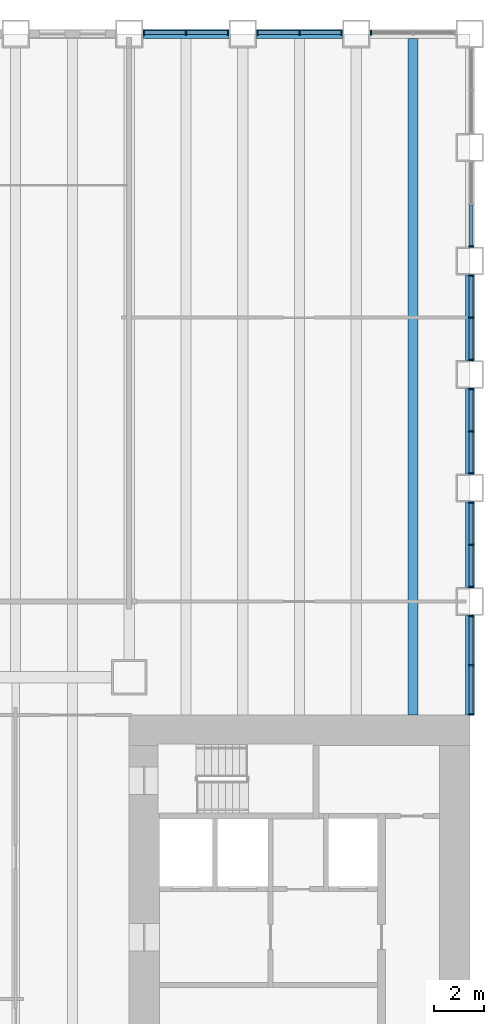
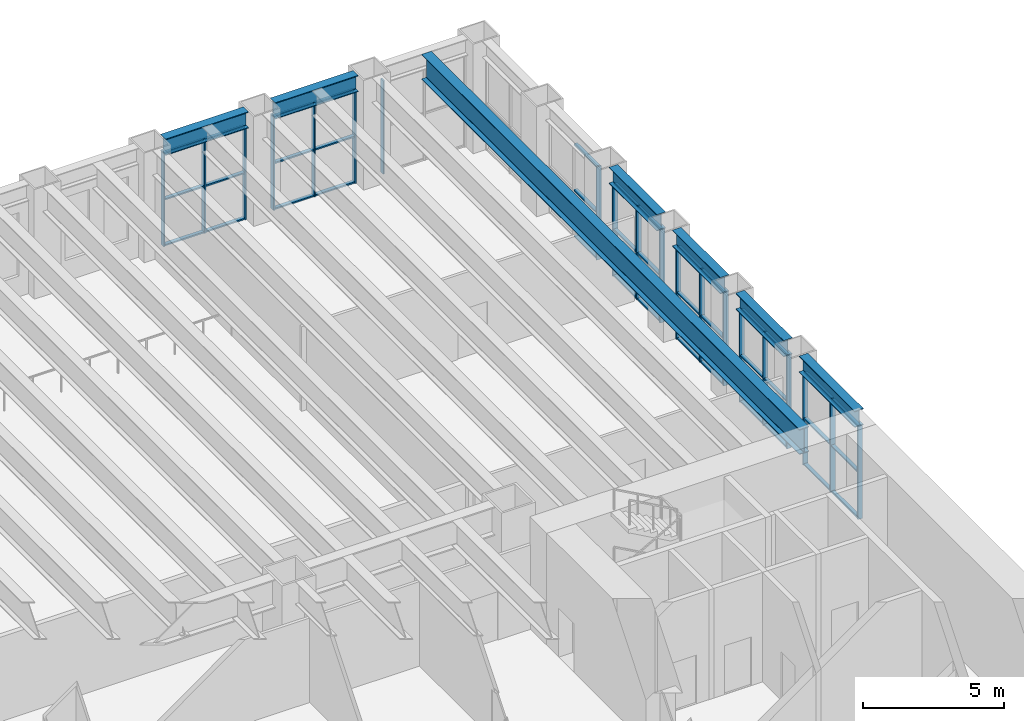
# One storey, part 4 of 19: 59 members, 7 beams, 8 elements without a shape of their own.
"""IFC4 building model written with IfcOpenShell, lengths in metres."""

from ifc_helpers import new_model, si_unit, direction, frame, origin, origin_2d, place, context, subcontext, project, spatial, rectangle, i_section, extrude, material, material_profile, profile_set, type_object, element, aggregate, save


model = new_model("IFC4")

# Units and contexts
model_context = context("Model", 3, precision=1e-05, world=origin(), true_north=direction((0.0, 1.0)))
body_context = subcontext(model_context, "Body", "Model", "MODEL_VIEW")
ifc_project = project(units=[si_unit("LENGTHUNIT", "METRE"), si_unit("AREAUNIT", "SQUARE_METRE"), si_unit("VOLUMEUNIT", "CUBIC_METRE"), si_unit("PLANEANGLEUNIT", "RADIAN"), si_unit("MASSUNIT", "GRAM", prefix="KILO")], contexts=[model_context])

# Site, building, storey
site_placement = place(None, origin())
site = spatial("IfcSite", under=ifc_project, at=site_placement, CompositionType="ELEMENT")
building_placement = place(site_placement, origin())
building = spatial("IfcBuilding", under=site, at=building_placement, Name="Sennacour Bend Tower", CompositionType="ELEMENT")
storey_placement = place(building_placement, frame((0.0, 0.0, 14.0)))
storey = spatial("IfcBuildingStorey", under=building, at=storey_placement, Name="L02", CompositionType="ELEMENT", Elevation=14.0)

# Curtain wall, members
ifc_material_1 = material(Name="Bronze anodised aluminium curtain wall with clear glass", Category="aluminium")
curtain_wall_type = type_object("IfcCurtainWallType", Name="CURTAIN WALL NOTCH", PredefinedType="NOTDEFINED", material=ifc_material_1)
curtain_wall_1_placement = place(storey_placement, origin())
curtain_wall_1 = element("IfcCurtainWall", 1, at=curtain_wall_1_placement, inside=storey, type_object=curtain_wall_type, Name="Podium glass wall L02", PredefinedType="NOTDEFINED")
ifc_material_2 = material(Name="Aluminium 6063-T6", Category="aluminium")
ifc_material_profile_1 = material_profile(ifc_material_2, rectangle(XDim=0.199951171875, YDim=0.06005859375, at=origin_2d()), Name="Aluminium 6063-T6", Category="aluminium")
ifc_profile_set_1 = profile_set([ifc_material_profile_1], Name="Aluminium 6063-T6")
member_type_1 = type_object("IfcMemberType", Name="CW-MULLION-200X60", PredefinedType="MULLION", material=ifc_profile_set_1)
member_1_placement = place(storey_placement, frame((67.550048828125, 22.531005859375, 0.0), z_axis=(0.0, 0.0, 1.0), x_axis=(-1.0, 0.0, 0.0)))
member_1 = element("IfcMember", 2, at=member_1_placement, type_object=member_type_1, Name="GW2 curtain wall mullion 1", PredefinedType="MULLION", context=body_context, shape_type="SweptSolid", body=[
    extrude(rectangle(XDim=0.199951171875, YDim=0.06005859375, at=origin_2d()), origin(), (0.0, 0.0, 1.0), 4.035888671875),
])
member_2_placement = place(storey_placement, frame((67.550048828125, 24.4755859375, 0.0), z_axis=(0.0, 0.0, 1.0), x_axis=(-1.0, 0.0, 0.0)))
member_2 = element("IfcMember", 3, at=member_2_placement, type_object=member_type_1, Name="GW2 curtain wall mullion 2", PredefinedType="MULLION", context=body_context, shape_type="SweptSolid", body=[
    extrude(rectangle(XDim=0.199951171875, YDim=0.06005859375, at=origin_2d()), origin(), (0.0, 0.0, 1.0), 4.035888671875),
])
member_3_placement = place(storey_placement, frame((67.550048828125, 26.419921875, 0.0), z_axis=(0.0, 0.0, 1.0), x_axis=(-1.0, 0.0, 0.0)))
member_3 = element("IfcMember", 4, at=member_3_placement, type_object=member_type_1, Name="GW2 curtain wall mullion 3", PredefinedType="MULLION", context=body_context, shape_type="SweptSolid", body=[
    extrude(rectangle(XDim=0.199951171875, YDim=0.06005859375, at=origin_2d()), origin(), (0.0, 0.0, 1.0), 4.035888671875),
])

curtain_wall_2_placement = place(storey_placement, origin())
curtain_wall_2 = element("IfcCurtainWall", 5, at=curtain_wall_2_placement, inside=storey, type_object=curtain_wall_type, Name="Podium glass wall L02", PredefinedType="NOTDEFINED")
member_4_placement = place(storey_placement, frame((67.550048828125, 27.580078125, 0.0), z_axis=(0.0, 0.0, 1.0), x_axis=(-1.0, 0.0, 0.0)))
member_4 = element("IfcMember", 6, at=member_4_placement, type_object=member_type_1, Name="GW2 curtain wall mullion 1", PredefinedType="MULLION", context=body_context, shape_type="SweptSolid", body=[
    extrude(rectangle(XDim=0.199951171875, YDim=0.06005859375, at=origin_2d()), origin(), (0.0, 0.0, 1.0), 4.035888671875),
])
member_5_placement = place(storey_placement, frame((67.550048828125, 29.25, 0.0), z_axis=(0.0, 0.0, 1.0), x_axis=(-1.0, 0.0, 0.0)))
member_5 = element("IfcMember", 7, at=member_5_placement, type_object=member_type_1, Name="GW2 curtain wall mullion 2", PredefinedType="MULLION", context=body_context, shape_type="SweptSolid", body=[
    extrude(rectangle(XDim=0.199951171875, YDim=0.06005859375, at=origin_2d()), origin(), (0.0, 0.0, 1.0), 4.035888671875),
])
member_6_placement = place(storey_placement, frame((67.550048828125, 30.919921875, 0.0), z_axis=(0.0, 0.0, 1.0), x_axis=(-1.0, 0.0, 0.0)))
member_6 = element("IfcMember", 8, at=member_6_placement, type_object=member_type_1, Name="GW2 curtain wall mullion 3", PredefinedType="MULLION", context=body_context, shape_type="SweptSolid", body=[
    extrude(rectangle(XDim=0.199951171875, YDim=0.06005859375, at=origin_2d()), origin(), (0.0, 0.0, 1.0), 4.035888671875),
])

curtain_wall_3_placement = place(storey_placement, origin())
curtain_wall_3 = element("IfcCurtainWall", 9, at=curtain_wall_3_placement, inside=storey, type_object=curtain_wall_type, Name="Podium glass wall L02", PredefinedType="NOTDEFINED")
member_7_placement = place(storey_placement, frame((67.550048828125, 32.080078125, 0.0), z_axis=(0.0, 0.0, 1.0), x_axis=(-1.0, 0.0, 0.0)))
member_7 = element("IfcMember", 10, at=member_7_placement, type_object=member_type_1, Name="GW2 curtain wall mullion 1", PredefinedType="MULLION", context=body_context, shape_type="SweptSolid", body=[
    extrude(rectangle(XDim=0.199951171875, YDim=0.06005859375, at=origin_2d()), origin(), (0.0, 0.0, 1.0), 4.035888671875),
])
member_8_placement = place(storey_placement, frame((67.550048828125, 33.75, 0.0), z_axis=(0.0, 0.0, 1.0), x_axis=(-1.0, 0.0, 0.0)))
member_8 = element("IfcMember", 11, at=member_8_placement, type_object=member_type_1, Name="GW2 curtain wall mullion 2", PredefinedType="MULLION", context=body_context, shape_type="SweptSolid", body=[
    extrude(rectangle(XDim=0.199951171875, YDim=0.06005859375, at=origin_2d()), origin(), (0.0, 0.0, 1.0), 4.035888671875),
])
member_9_placement = place(storey_placement, frame((67.550048828125, 35.419921875, 0.0), z_axis=(0.0, 0.0, 1.0), x_axis=(-1.0, 0.0, 0.0)))
member_9 = element("IfcMember", 12, at=member_9_placement, type_object=member_type_1, Name="GW2 curtain wall mullion 3", PredefinedType="MULLION", context=body_context, shape_type="SweptSolid", body=[
    extrude(rectangle(XDim=0.199951171875, YDim=0.06005859375, at=origin_2d()), origin(), (0.0, 0.0, 1.0), 4.035888671875),
])

curtain_wall_4_placement = place(storey_placement, origin())
curtain_wall_4 = element("IfcCurtainWall", 13, at=curtain_wall_4_placement, inside=storey, type_object=curtain_wall_type, Name="Podium glass wall L02", PredefinedType="NOTDEFINED")
member_10_placement = place(storey_placement, frame((67.550048828125, 36.580078125, 0.0), z_axis=(0.0, 0.0, 1.0), x_axis=(-1.0, 0.0, 0.0)))
member_10 = element("IfcMember", 14, at=member_10_placement, type_object=member_type_1, Name="GW2 curtain wall mullion 1", PredefinedType="MULLION", context=body_context, shape_type="SweptSolid", body=[
    extrude(rectangle(XDim=0.199951171875, YDim=0.06005859375, at=origin_2d()), origin(), (0.0, 0.0, 1.0), 4.035888671875),
])
member_11_placement = place(storey_placement, frame((67.550048828125, 38.25, 0.0), z_axis=(0.0, 0.0, 1.0), x_axis=(-1.0, 0.0, 0.0)))
member_11 = element("IfcMember", 15, at=member_11_placement, type_object=member_type_1, Name="GW2 curtain wall mullion 2", PredefinedType="MULLION", context=body_context, shape_type="SweptSolid", body=[
    extrude(rectangle(XDim=0.199951171875, YDim=0.06005859375, at=origin_2d()), origin(), (0.0, 0.0, 1.0), 4.035888671875),
])
member_12_placement = place(storey_placement, frame((67.550048828125, 39.919921875, 0.0), z_axis=(0.0, 0.0, 1.0), x_axis=(-1.0, 0.0, 0.0)))
member_12 = element("IfcMember", 16, at=member_12_placement, type_object=member_type_1, Name="GW2 curtain wall mullion 3", PredefinedType="MULLION", context=body_context, shape_type="SweptSolid", body=[
    extrude(rectangle(XDim=0.199951171875, YDim=0.06005859375, at=origin_2d()), origin(), (0.0, 0.0, 1.0), 4.035888671875),
])

# Curtain wall, member
curtain_wall_5_placement = place(storey_placement, origin())
curtain_wall_5 = element("IfcCurtainWall", 17, at=curtain_wall_5_placement, inside=storey, type_object=curtain_wall_type, Name="Podium glass wall L02", PredefinedType="NOTDEFINED")
member_13_placement = place(storey_placement, frame((67.550048828125, 41.080078125, 0.0), z_axis=(0.0, 0.0, 1.0), x_axis=(-1.0, 0.0, 0.0)))
member_13 = element("IfcMember", 18, at=member_13_placement, type_object=member_type_1, Name="GW2 curtain wall mullion 1", PredefinedType="MULLION", context=body_context, shape_type="SweptSolid", body=[
    extrude(rectangle(XDim=0.199951171875, YDim=0.06005859375, at=origin_2d()), origin(), (0.0, 0.0, 1.0), 4.035888671875),
])

curtain_wall_6_placement = place(storey_placement, origin())
curtain_wall_6 = element("IfcCurtainWall", 19, at=curtain_wall_6_placement, inside=storey, type_object=curtain_wall_type, Name="Podium glass wall L02", PredefinedType="NOTDEFINED")
member_14_placement = place(storey_placement, frame((63.580078125, 49.550048828125, 0.0), z_axis=(0.0, 0.0, 1.0), x_axis=(0.0, -1.0, 0.0)))
member_14 = element("IfcMember", 20, at=member_14_placement, type_object=member_type_1, Name="GW2 curtain wall mullion 3", PredefinedType="MULLION", context=body_context, shape_type="SweptSolid", body=[
    extrude(rectangle(XDim=0.199951171875, YDim=0.06005859375, at=origin_2d()), origin(), (0.0, 0.0, 1.0), 4.035888671875),
])
aggregate(curtain_wall_6, [member_14])

# Curtain wall, members
curtain_wall_7_placement = place(storey_placement, origin())
curtain_wall_7 = element("IfcCurtainWall", 21, at=curtain_wall_7_placement, inside=storey, type_object=curtain_wall_type, Name="Podium glass wall L02", PredefinedType="NOTDEFINED")
member_15_placement = place(storey_placement, frame((62.419921875, 49.550048828125, 0.0), z_axis=(0.0, 0.0, 1.0), x_axis=(0.0, -1.0, 0.0)))
member_15 = element("IfcMember", 22, at=member_15_placement, type_object=member_type_1, Name="GW2 curtain wall mullion 1", PredefinedType="MULLION", context=body_context, shape_type="SweptSolid", body=[
    extrude(rectangle(XDim=0.199951171875, YDim=0.06005859375, at=origin_2d()), origin(), (0.0, 0.0, 1.0), 4.035888671875),
])
member_16_placement = place(storey_placement, frame((60.75, 49.550048828125, 0.0), z_axis=(0.0, 0.0, 1.0), x_axis=(0.0, -1.0, 0.0)))
member_16 = element("IfcMember", 23, at=member_16_placement, type_object=member_type_1, Name="GW2 curtain wall mullion 2", PredefinedType="MULLION", context=body_context, shape_type="SweptSolid", body=[
    extrude(rectangle(XDim=0.199951171875, YDim=0.06005859375, at=origin_2d()), origin(), (0.0, 0.0, 1.0), 4.035888671875),
])
member_17_placement = place(storey_placement, frame((59.080078125, 49.550048828125, 0.0), z_axis=(0.0, 0.0, 1.0), x_axis=(0.0, -1.0, 0.0)))
member_17 = element("IfcMember", 24, at=member_17_placement, type_object=member_type_1, Name="GW2 curtain wall mullion 3", PredefinedType="MULLION", context=body_context, shape_type="SweptSolid", body=[
    extrude(rectangle(XDim=0.199951171875, YDim=0.06005859375, at=origin_2d()), origin(), (0.0, 0.0, 1.0), 4.035888671875),
])

curtain_wall_8_placement = place(storey_placement, origin())
curtain_wall_8 = element("IfcCurtainWall", 25, at=curtain_wall_8_placement, inside=storey, type_object=curtain_wall_type, Name="Podium glass wall L02", PredefinedType="NOTDEFINED")
member_18_placement = place(storey_placement, frame((57.919921875, 49.550048828125, 0.0), z_axis=(0.0, 0.0, 1.0), x_axis=(0.0, -1.0, 0.0)))
member_18 = element("IfcMember", 26, at=member_18_placement, type_object=member_type_1, Name="GW2 curtain wall mullion 1", PredefinedType="MULLION", context=body_context, shape_type="SweptSolid", body=[
    extrude(rectangle(XDim=0.199951171875, YDim=0.06005859375, at=origin_2d()), origin(), (0.0, 0.0, 1.0), 4.035888671875),
])
member_19_placement = place(storey_placement, frame((56.25, 49.550048828125, 0.0), z_axis=(0.0, 0.0, 1.0), x_axis=(0.0, -1.0, 0.0)))
member_19 = element("IfcMember", 27, at=member_19_placement, type_object=member_type_1, Name="GW2 curtain wall mullion 2", PredefinedType="MULLION", context=body_context, shape_type="SweptSolid", body=[
    extrude(rectangle(XDim=0.199951171875, YDim=0.06005859375, at=origin_2d()), origin(), (0.0, 0.0, 1.0), 4.035888671875),
])
member_20_placement = place(storey_placement, frame((54.580078125, 49.550048828125, 0.0), z_axis=(0.0, 0.0, 1.0), x_axis=(0.0, -1.0, 0.0)))
member_20 = element("IfcMember", 28, at=member_20_placement, type_object=member_type_1, Name="GW2 curtain wall mullion 3", PredefinedType="MULLION", context=body_context, shape_type="SweptSolid", body=[
    extrude(rectangle(XDim=0.199951171875, YDim=0.06005859375, at=origin_2d()), origin(), (0.0, 0.0, 1.0), 4.035888671875),
])

# Member
ifc_material_profile_2 = material_profile(ifc_material_2, rectangle(XDim=0.14990234375, YDim=0.06005859375, at=origin_2d()), Name="Aluminium 6063-T6", Category="aluminium")
ifc_profile_set_2 = profile_set([ifc_material_profile_2], Name="Aluminium 6063-T6")
member_type_2 = type_object("IfcMemberType", Name="CW-TRANSOM-150X60", PredefinedType="USERDEFINED", material=ifc_profile_set_2)
member_21_placement = place(storey_placement, frame((67.550048828125, 22.56103515625, 0.030029296875), z_axis=(0.0, 1.0, 0.0), x_axis=(-1.0, 0.0, 0.0)))
member_21 = element("IfcMember", 29, at=member_21_placement, type_object=member_type_2, Name="GW2 curtain wall transom 1.1", ObjectType="TRANSOM", PredefinedType="USERDEFINED", context=body_context, shape_type="SweptSolid", body=[
    extrude(rectangle(XDim=0.14990234375, YDim=0.06005859375, at=origin_2d()), origin(), (0.0, 0.0, 1.0), 1.884521484375),
])

member_22_placement = place(storey_placement, frame((67.550048828125, 22.56103515625, 2.01806640625), z_axis=(0.0, 1.0, 0.0), x_axis=(-1.0, 0.0, 0.0)))
member_22 = element("IfcMember", 30, at=member_22_placement, type_object=member_type_2, Name="GW2 curtain wall transom 1.2", ObjectType="TRANSOM", PredefinedType="USERDEFINED", context=body_context, shape_type="SweptSolid", body=[
    extrude(rectangle(XDim=0.14990234375, YDim=0.06005859375, at=origin_2d()), origin(), (0.0, 0.0, 1.0), 1.884521484375),
])

member_23_placement = place(storey_placement, frame((67.550048828125, 22.56103515625, 4.006103515625), z_axis=(0.0, 1.0, 0.0), x_axis=(-1.0, 0.0, 0.0)))
member_23 = element("IfcMember", 31, at=member_23_placement, type_object=member_type_2, Name="GW2 curtain wall transom 1.3", ObjectType="TRANSOM", PredefinedType="USERDEFINED", context=body_context, shape_type="SweptSolid", body=[
    extrude(rectangle(XDim=0.14990234375, YDim=0.06005859375, at=origin_2d()), origin(), (0.0, 0.0, 1.0), 1.884521484375),
])

member_24_placement = place(storey_placement, frame((67.550048828125, 24.505615234375, 0.030029296875), z_axis=(0.0, 1.0, 0.0), x_axis=(-1.0, 0.0, 0.0)))
member_24 = element("IfcMember", 32, at=member_24_placement, type_object=member_type_2, Name="GW2 curtain wall transom 2.1", ObjectType="TRANSOM", PredefinedType="USERDEFINED", context=body_context, shape_type="SweptSolid", body=[
    extrude(rectangle(XDim=0.14990234375, YDim=0.06005859375, at=origin_2d()), origin(), (0.0, 0.0, 1.0), 1.88427734375),
])

member_25_placement = place(storey_placement, frame((67.550048828125, 24.505615234375, 2.01806640625), z_axis=(0.0, 1.0, 0.0), x_axis=(-1.0, 0.0, 0.0)))
member_25 = element("IfcMember", 33, at=member_25_placement, type_object=member_type_2, Name="GW2 curtain wall transom 2.2", ObjectType="TRANSOM", PredefinedType="USERDEFINED", context=body_context, shape_type="SweptSolid", body=[
    extrude(rectangle(XDim=0.14990234375, YDim=0.06005859375, at=origin_2d()), origin(), (0.0, 0.0, 1.0), 1.88427734375),
])

member_26_placement = place(storey_placement, frame((67.550048828125, 24.505615234375, 4.006103515625), z_axis=(0.0, 1.0, 0.0), x_axis=(-1.0, 0.0, 0.0)))
member_26 = element("IfcMember", 34, at=member_26_placement, type_object=member_type_2, Name="GW2 curtain wall transom 2.3", ObjectType="TRANSOM", PredefinedType="USERDEFINED", context=body_context, shape_type="SweptSolid", body=[
    extrude(rectangle(XDim=0.14990234375, YDim=0.06005859375, at=origin_2d()), origin(), (0.0, 0.0, 1.0), 1.88427734375),
])

aggregate(curtain_wall_1, [member_1, member_2, member_3, member_21, member_22, member_23, member_24, member_25, member_26])

member_27_placement = place(storey_placement, frame((67.550048828125, 27.610107421875, 0.030029296875), z_axis=(0.0, 1.0, 0.0), x_axis=(-1.0, 0.0, 0.0)))
member_27 = element("IfcMember", 35, at=member_27_placement, type_object=member_type_2, Name="GW2 curtain wall transom 1.1", ObjectType="TRANSOM", PredefinedType="USERDEFINED", context=body_context, shape_type="SweptSolid", body=[
    extrude(rectangle(XDim=0.14990234375, YDim=0.06005859375, at=origin_2d()), origin(), (0.0, 0.0, 1.0), 1.60986328125),
])

member_28_placement = place(storey_placement, frame((67.550048828125, 27.610107421875, 2.01806640625), z_axis=(0.0, 1.0, 0.0), x_axis=(-1.0, 0.0, 0.0)))
member_28 = element("IfcMember", 36, at=member_28_placement, type_object=member_type_2, Name="GW2 curtain wall transom 1.2", ObjectType="TRANSOM", PredefinedType="USERDEFINED", context=body_context, shape_type="SweptSolid", body=[
    extrude(rectangle(XDim=0.14990234375, YDim=0.06005859375, at=origin_2d()), origin(), (0.0, 0.0, 1.0), 1.60986328125),
])

member_29_placement = place(storey_placement, frame((67.550048828125, 27.610107421875, 4.006103515625), z_axis=(0.0, 1.0, 0.0), x_axis=(-1.0, 0.0, 0.0)))
member_29 = element("IfcMember", 37, at=member_29_placement, type_object=member_type_2, Name="GW2 curtain wall transom 1.3", ObjectType="TRANSOM", PredefinedType="USERDEFINED", context=body_context, shape_type="SweptSolid", body=[
    extrude(rectangle(XDim=0.14990234375, YDim=0.06005859375, at=origin_2d()), origin(), (0.0, 0.0, 1.0), 1.60986328125),
])

member_30_placement = place(storey_placement, frame((67.550048828125, 29.280029296875, 0.030029296875), z_axis=(0.0, 1.0, 0.0), x_axis=(-1.0, 0.0, 0.0)))
member_30 = element("IfcMember", 38, at=member_30_placement, type_object=member_type_2, Name="GW2 curtain wall transom 2.1", ObjectType="TRANSOM", PredefinedType="USERDEFINED", context=body_context, shape_type="SweptSolid", body=[
    extrude(rectangle(XDim=0.14990234375, YDim=0.06005859375, at=origin_2d()), origin(), (0.0, 0.0, 1.0), 1.60986328125),
])

member_31_placement = place(storey_placement, frame((67.550048828125, 29.280029296875, 2.01806640625), z_axis=(0.0, 1.0, 0.0), x_axis=(-1.0, 0.0, 0.0)))
member_31 = element("IfcMember", 39, at=member_31_placement, type_object=member_type_2, Name="GW2 curtain wall transom 2.2", ObjectType="TRANSOM", PredefinedType="USERDEFINED", context=body_context, shape_type="SweptSolid", body=[
    extrude(rectangle(XDim=0.14990234375, YDim=0.06005859375, at=origin_2d()), origin(), (0.0, 0.0, 1.0), 1.60986328125),
])

member_32_placement = place(storey_placement, frame((67.550048828125, 29.280029296875, 4.006103515625), z_axis=(0.0, 1.0, 0.0), x_axis=(-1.0, 0.0, 0.0)))
member_32 = element("IfcMember", 40, at=member_32_placement, type_object=member_type_2, Name="GW2 curtain wall transom 2.3", ObjectType="TRANSOM", PredefinedType="USERDEFINED", context=body_context, shape_type="SweptSolid", body=[
    extrude(rectangle(XDim=0.14990234375, YDim=0.06005859375, at=origin_2d()), origin(), (0.0, 0.0, 1.0), 1.60986328125),
])

aggregate(curtain_wall_2, [member_4, member_5, member_6, member_27, member_28, member_29, member_30, member_31, member_32])

member_33_placement = place(storey_placement, frame((67.550048828125, 32.110107421875, 0.030029296875), z_axis=(0.0, 1.0, 0.0), x_axis=(-1.0, 0.0, 0.0)))
member_33 = element("IfcMember", 41, at=member_33_placement, type_object=member_type_2, Name="GW2 curtain wall transom 1.1", ObjectType="TRANSOM", PredefinedType="USERDEFINED", context=body_context, shape_type="SweptSolid", body=[
    extrude(rectangle(XDim=0.14990234375, YDim=0.06005859375, at=origin_2d()), origin(), (0.0, 0.0, 1.0), 1.60986328125),
])

member_34_placement = place(storey_placement, frame((67.550048828125, 32.110107421875, 2.01806640625), z_axis=(0.0, 1.0, 0.0), x_axis=(-1.0, 0.0, 0.0)))
member_34 = element("IfcMember", 42, at=member_34_placement, type_object=member_type_2, Name="GW2 curtain wall transom 1.2", ObjectType="TRANSOM", PredefinedType="USERDEFINED", context=body_context, shape_type="SweptSolid", body=[
    extrude(rectangle(XDim=0.14990234375, YDim=0.06005859375, at=origin_2d()), origin(), (0.0, 0.0, 1.0), 1.60986328125),
])

member_35_placement = place(storey_placement, frame((67.550048828125, 32.110107421875, 4.006103515625), z_axis=(0.0, 1.0, 0.0), x_axis=(-1.0, 0.0, 0.0)))
member_35 = element("IfcMember", 43, at=member_35_placement, type_object=member_type_2, Name="GW2 curtain wall transom 1.3", ObjectType="TRANSOM", PredefinedType="USERDEFINED", context=body_context, shape_type="SweptSolid", body=[
    extrude(rectangle(XDim=0.14990234375, YDim=0.06005859375, at=origin_2d()), origin(), (0.0, 0.0, 1.0), 1.60986328125),
])

member_36_placement = place(storey_placement, frame((67.550048828125, 33.780029296875, 0.030029296875), z_axis=(0.0, 1.0, 0.0), x_axis=(-1.0, 0.0, 0.0)))
member_36 = element("IfcMember", 44, at=member_36_placement, type_object=member_type_2, Name="GW2 curtain wall transom 2.1", ObjectType="TRANSOM", PredefinedType="USERDEFINED", context=body_context, shape_type="SweptSolid", body=[
    extrude(rectangle(XDim=0.14990234375, YDim=0.06005859375, at=origin_2d()), origin(), (0.0, 0.0, 1.0), 1.60986328125),
])

member_37_placement = place(storey_placement, frame((67.550048828125, 33.780029296875, 2.01806640625), z_axis=(0.0, 1.0, 0.0), x_axis=(-1.0, 0.0, 0.0)))
member_37 = element("IfcMember", 45, at=member_37_placement, type_object=member_type_2, Name="GW2 curtain wall transom 2.2", ObjectType="TRANSOM", PredefinedType="USERDEFINED", context=body_context, shape_type="SweptSolid", body=[
    extrude(rectangle(XDim=0.14990234375, YDim=0.06005859375, at=origin_2d()), origin(), (0.0, 0.0, 1.0), 1.60986328125),
])

member_38_placement = place(storey_placement, frame((67.550048828125, 33.780029296875, 4.006103515625), z_axis=(0.0, 1.0, 0.0), x_axis=(-1.0, 0.0, 0.0)))
member_38 = element("IfcMember", 46, at=member_38_placement, type_object=member_type_2, Name="GW2 curtain wall transom 2.3", ObjectType="TRANSOM", PredefinedType="USERDEFINED", context=body_context, shape_type="SweptSolid", body=[
    extrude(rectangle(XDim=0.14990234375, YDim=0.06005859375, at=origin_2d()), origin(), (0.0, 0.0, 1.0), 1.60986328125),
])

aggregate(curtain_wall_3, [member_7, member_8, member_9, member_33, member_34, member_35, member_36, member_37, member_38])

member_39_placement = place(storey_placement, frame((67.550048828125, 36.610107421875, 0.030029296875), z_axis=(0.0, 1.0, 0.0), x_axis=(-1.0, 0.0, 0.0)))
member_39 = element("IfcMember", 47, at=member_39_placement, type_object=member_type_2, Name="GW2 curtain wall transom 1.1", ObjectType="TRANSOM", PredefinedType="USERDEFINED", context=body_context, shape_type="SweptSolid", body=[
    extrude(rectangle(XDim=0.14990234375, YDim=0.06005859375, at=origin_2d()), origin(), (0.0, 0.0, 1.0), 1.60986328125),
])

member_40_placement = place(storey_placement, frame((67.550048828125, 36.610107421875, 2.01806640625), z_axis=(0.0, 1.0, 0.0), x_axis=(-1.0, 0.0, 0.0)))
member_40 = element("IfcMember", 48, at=member_40_placement, type_object=member_type_2, Name="GW2 curtain wall transom 1.2", ObjectType="TRANSOM", PredefinedType="USERDEFINED", context=body_context, shape_type="SweptSolid", body=[
    extrude(rectangle(XDim=0.14990234375, YDim=0.06005859375, at=origin_2d()), origin(), (0.0, 0.0, 1.0), 1.60986328125),
])

member_41_placement = place(storey_placement, frame((67.550048828125, 36.610107421875, 4.006103515625), z_axis=(0.0, 1.0, 0.0), x_axis=(-1.0, 0.0, 0.0)))
member_41 = element("IfcMember", 49, at=member_41_placement, type_object=member_type_2, Name="GW2 curtain wall transom 1.3", ObjectType="TRANSOM", PredefinedType="USERDEFINED", context=body_context, shape_type="SweptSolid", body=[
    extrude(rectangle(XDim=0.14990234375, YDim=0.06005859375, at=origin_2d()), origin(), (0.0, 0.0, 1.0), 1.60986328125),
])

member_42_placement = place(storey_placement, frame((67.550048828125, 38.280029296875, 0.030029296875), z_axis=(0.0, 1.0, 0.0), x_axis=(-1.0, 0.0, 0.0)))
member_42 = element("IfcMember", 50, at=member_42_placement, type_object=member_type_2, Name="GW2 curtain wall transom 2.1", ObjectType="TRANSOM", PredefinedType="USERDEFINED", context=body_context, shape_type="SweptSolid", body=[
    extrude(rectangle(XDim=0.14990234375, YDim=0.06005859375, at=origin_2d()), origin(), (0.0, 0.0, 1.0), 1.60986328125),
])

member_43_placement = place(storey_placement, frame((67.550048828125, 38.280029296875, 2.01806640625), z_axis=(0.0, 1.0, 0.0), x_axis=(-1.0, 0.0, 0.0)))
member_43 = element("IfcMember", 51, at=member_43_placement, type_object=member_type_2, Name="GW2 curtain wall transom 2.2", ObjectType="TRANSOM", PredefinedType="USERDEFINED", context=body_context, shape_type="SweptSolid", body=[
    extrude(rectangle(XDim=0.14990234375, YDim=0.06005859375, at=origin_2d()), origin(), (0.0, 0.0, 1.0), 1.60986328125),
])

member_44_placement = place(storey_placement, frame((67.550048828125, 38.280029296875, 4.006103515625), z_axis=(0.0, 1.0, 0.0), x_axis=(-1.0, 0.0, 0.0)))
member_44 = element("IfcMember", 52, at=member_44_placement, type_object=member_type_2, Name="GW2 curtain wall transom 2.3", ObjectType="TRANSOM", PredefinedType="USERDEFINED", context=body_context, shape_type="SweptSolid", body=[
    extrude(rectangle(XDim=0.14990234375, YDim=0.06005859375, at=origin_2d()), origin(), (0.0, 0.0, 1.0), 1.60986328125),
])

aggregate(curtain_wall_4, [member_10, member_11, member_12, member_39, member_40, member_41, member_42, member_43, member_44])

member_45_placement = place(storey_placement, frame((67.550048828125, 41.110107421875, 0.030029296875), z_axis=(0.0, 1.0, 0.0), x_axis=(-1.0, 0.0, 0.0)))
member_45 = element("IfcMember", 53, at=member_45_placement, type_object=member_type_2, Name="GW2 curtain wall transom 1.1", ObjectType="TRANSOM", PredefinedType="USERDEFINED", context=body_context, shape_type="SweptSolid", body=[
    extrude(rectangle(XDim=0.14990234375, YDim=0.06005859375, at=origin_2d()), origin(), (0.0, 0.0, 1.0), 1.60986328125),
])

member_46_placement = place(storey_placement, frame((67.550048828125, 41.110107421875, 2.01806640625), z_axis=(0.0, 1.0, 0.0), x_axis=(-1.0, 0.0, 0.0)))
member_46 = element("IfcMember", 54, at=member_46_placement, type_object=member_type_2, Name="GW2 curtain wall transom 1.2", ObjectType="TRANSOM", PredefinedType="USERDEFINED", context=body_context, shape_type="SweptSolid", body=[
    extrude(rectangle(XDim=0.14990234375, YDim=0.06005859375, at=origin_2d()), origin(), (0.0, 0.0, 1.0), 1.60986328125),
])

member_47_placement = place(storey_placement, frame((67.550048828125, 41.110107421875, 4.006103515625), z_axis=(0.0, 1.0, 0.0), x_axis=(-1.0, 0.0, 0.0)))
member_47 = element("IfcMember", 55, at=member_47_placement, type_object=member_type_2, Name="GW2 curtain wall transom 1.3", ObjectType="TRANSOM", PredefinedType="USERDEFINED", context=body_context, shape_type="SweptSolid", body=[
    extrude(rectangle(XDim=0.14990234375, YDim=0.06005859375, at=origin_2d()), origin(), (0.0, 0.0, 1.0), 1.60986328125),
])

aggregate(curtain_wall_5, [member_13, member_45, member_46, member_47])

member_48_placement = place(storey_placement, frame((62.389892578125, 49.550048828125, 0.030029296875), z_axis=(-1.0, 0.0, 0.0), x_axis=(0.0, -1.0, 0.0)))
member_48 = element("IfcMember", 56, at=member_48_placement, type_object=member_type_2, Name="GW2 curtain wall transom 1.1", ObjectType="TRANSOM", PredefinedType="USERDEFINED", context=body_context, shape_type="SweptSolid", body=[
    extrude(rectangle(XDim=0.14990234375, YDim=0.06005859375, at=origin_2d()), origin(), (0.0, 0.0, 1.0), 1.60986328125),
])

member_49_placement = place(storey_placement, frame((62.389892578125, 49.550048828125, 2.01806640625), z_axis=(-1.0, 0.0, 0.0), x_axis=(0.0, -1.0, 0.0)))
member_49 = element("IfcMember", 57, at=member_49_placement, type_object=member_type_2, Name="GW2 curtain wall transom 1.2", ObjectType="TRANSOM", PredefinedType="USERDEFINED", context=body_context, shape_type="SweptSolid", body=[
    extrude(rectangle(XDim=0.14990234375, YDim=0.06005859375, at=origin_2d()), origin(), (0.0, 0.0, 1.0), 1.60986328125),
])

member_50_placement = place(storey_placement, frame((62.389892578125, 49.550048828125, 4.006103515625), z_axis=(-1.0, 0.0, 0.0), x_axis=(0.0, -1.0, 0.0)))
member_50 = element("IfcMember", 58, at=member_50_placement, type_object=member_type_2, Name="GW2 curtain wall transom 1.3", ObjectType="TRANSOM", PredefinedType="USERDEFINED", context=body_context, shape_type="SweptSolid", body=[
    extrude(rectangle(XDim=0.14990234375, YDim=0.06005859375, at=origin_2d()), origin(), (0.0, 0.0, 1.0), 1.60986328125),
])

member_51_placement = place(storey_placement, frame((60.719970703125, 49.550048828125, 0.030029296875), z_axis=(-1.0, 0.0, 0.0), x_axis=(0.0, -1.0, 0.0)))
member_51 = element("IfcMember", 59, at=member_51_placement, type_object=member_type_2, Name="GW2 curtain wall transom 2.1", ObjectType="TRANSOM", PredefinedType="USERDEFINED", context=body_context, shape_type="SweptSolid", body=[
    extrude(rectangle(XDim=0.14990234375, YDim=0.06005859375, at=origin_2d()), origin(), (0.0, 0.0, 1.0), 1.60986328125),
])

member_52_placement = place(storey_placement, frame((60.719970703125, 49.550048828125, 2.01806640625), z_axis=(-1.0, 0.0, 0.0), x_axis=(0.0, -1.0, 0.0)))
member_52 = element("IfcMember", 60, at=member_52_placement, type_object=member_type_2, Name="GW2 curtain wall transom 2.2", ObjectType="TRANSOM", PredefinedType="USERDEFINED", context=body_context, shape_type="SweptSolid", body=[
    extrude(rectangle(XDim=0.14990234375, YDim=0.06005859375, at=origin_2d()), origin(), (0.0, 0.0, 1.0), 1.60986328125),
])

member_53_placement = place(storey_placement, frame((60.719970703125, 49.550048828125, 4.006103515625), z_axis=(-1.0, 0.0, 0.0), x_axis=(0.0, -1.0, 0.0)))
member_53 = element("IfcMember", 61, at=member_53_placement, type_object=member_type_2, Name="GW2 curtain wall transom 2.3", ObjectType="TRANSOM", PredefinedType="USERDEFINED", context=body_context, shape_type="SweptSolid", body=[
    extrude(rectangle(XDim=0.14990234375, YDim=0.06005859375, at=origin_2d()), origin(), (0.0, 0.0, 1.0), 1.60986328125),
])

aggregate(curtain_wall_7, [member_15, member_16, member_17, member_48, member_49, member_50, member_51, member_52, member_53])

member_54_placement = place(storey_placement, frame((57.889892578125, 49.550048828125, 0.030029296875), z_axis=(-1.0, 0.0, 0.0), x_axis=(0.0, -1.0, 0.0)))
member_54 = element("IfcMember", 62, at=member_54_placement, type_object=member_type_2, Name="GW2 curtain wall transom 1.1", ObjectType="TRANSOM", PredefinedType="USERDEFINED", context=body_context, shape_type="SweptSolid", body=[
    extrude(rectangle(XDim=0.14990234375, YDim=0.06005859375, at=origin_2d()), origin(), (0.0, 0.0, 1.0), 1.60986328125),
])

member_55_placement = place(storey_placement, frame((57.889892578125, 49.550048828125, 2.01806640625), z_axis=(-1.0, 0.0, 0.0), x_axis=(0.0, -1.0, 0.0)))
member_55 = element("IfcMember", 63, at=member_55_placement, type_object=member_type_2, Name="GW2 curtain wall transom 1.2", ObjectType="TRANSOM", PredefinedType="USERDEFINED", context=body_context, shape_type="SweptSolid", body=[
    extrude(rectangle(XDim=0.14990234375, YDim=0.06005859375, at=origin_2d()), origin(), (0.0, 0.0, 1.0), 1.60986328125),
])

member_56_placement = place(storey_placement, frame((57.889892578125, 49.550048828125, 4.006103515625), z_axis=(-1.0, 0.0, 0.0), x_axis=(0.0, -1.0, 0.0)))
member_56 = element("IfcMember", 64, at=member_56_placement, type_object=member_type_2, Name="GW2 curtain wall transom 1.3", ObjectType="TRANSOM", PredefinedType="USERDEFINED", context=body_context, shape_type="SweptSolid", body=[
    extrude(rectangle(XDim=0.14990234375, YDim=0.06005859375, at=origin_2d()), origin(), (0.0, 0.0, 1.0), 1.60986328125),
])

member_57_placement = place(storey_placement, frame((56.219970703125, 49.550048828125, 0.030029296875), z_axis=(-1.0, 0.0, 0.0), x_axis=(0.0, -1.0, 0.0)))
member_57 = element("IfcMember", 65, at=member_57_placement, type_object=member_type_2, Name="GW2 curtain wall transom 2.1", ObjectType="TRANSOM", PredefinedType="USERDEFINED", context=body_context, shape_type="SweptSolid", body=[
    extrude(rectangle(XDim=0.14990234375, YDim=0.06005859375, at=origin_2d()), origin(), (0.0, 0.0, 1.0), 1.60986328125),
])

member_58_placement = place(storey_placement, frame((56.219970703125, 49.550048828125, 2.01806640625), z_axis=(-1.0, 0.0, 0.0), x_axis=(0.0, -1.0, 0.0)))
member_58 = element("IfcMember", 66, at=member_58_placement, type_object=member_type_2, Name="GW2 curtain wall transom 2.2", ObjectType="TRANSOM", PredefinedType="USERDEFINED", context=body_context, shape_type="SweptSolid", body=[
    extrude(rectangle(XDim=0.14990234375, YDim=0.06005859375, at=origin_2d()), origin(), (0.0, 0.0, 1.0), 1.60986328125),
])

member_59_placement = place(storey_placement, frame((56.219970703125, 49.550048828125, 4.006103515625), z_axis=(-1.0, 0.0, 0.0), x_axis=(0.0, -1.0, 0.0)))
member_59 = element("IfcMember", 67, at=member_59_placement, type_object=member_type_2, Name="GW2 curtain wall transom 2.3", ObjectType="TRANSOM", PredefinedType="USERDEFINED", context=body_context, shape_type="SweptSolid", body=[
    extrude(rectangle(XDim=0.14990234375, YDim=0.06005859375, at=origin_2d()), origin(), (0.0, 0.0, 1.0), 1.60986328125),
])

aggregate(curtain_wall_8, [member_18, member_19, member_20, member_54, member_55, member_56, member_57, member_58, member_59])

# Beams
ifc_material_3 = material(Name="Steel ASTM A992 Grade 50", Category="steel")
ifc_material_profile_3 = material_profile(ifc_material_3, i_section(OverallWidth=0.40087890625, OverallDepth=1.090087890625, WebThickness=0.01806640625, FlangeThickness=0.031005859375, FilletRadius=0.02001953125, at=origin_2d()), Name="Steel ASTM A992 Grade 50", Category="steel")
ifc_profile_set_3 = profile_set([ifc_material_profile_3], Name="Steel ASTM A992 Grade 50")
beam_type_1 = type_object("IfcBeamType", Name="Notch floor beam W1100X343", PredefinedType="BEAM", material=ifc_profile_set_3)
beam_1_placement = place(storey_placement, frame((65.25, 22.5, 4.205078125), z_axis=(0.0, 1.0, 0.0), x_axis=(-1.0, 0.0, 0.0)))
element("IfcBeam", 68, at=beam_1_placement, inside=storey, type_object=beam_type_1, Name="Floor beam FBM4 L03-053", PredefinedType="BEAM", context=body_context, shape_type="SweptSolid", body=[
    extrude(i_section(OverallWidth=0.40087890625, OverallDepth=1.090087890625, WebThickness=0.01806640625, FlangeThickness=0.031005859375, FilletRadius=0.02001953125, at=origin_2d()), origin(), (0.0, 0.0, 1.0), 26.822021484375),
])
ifc_material_profile_4 = material_profile(ifc_material_3, i_section(OverallWidth=0.35595703125, OverallDepth=0.714111328125, WebThickness=0.01904296875, FlangeThickness=0.033935546875, FilletRadius=0.02001953125, at=origin_2d()), Name="Steel ASTM A992 Grade 50", Category="steel")
ifc_profile_set_4 = profile_set([ifc_material_profile_4], Name="Steel ASTM A992 Grade 50")
beam_type_2 = type_object("IfcBeamType", Name="Spandrel beam W690X289", PredefinedType="SPANDREL", material=ifc_profile_set_4)
for number, where, z_axis, x_axis, name in (
    (69, (67.5, 27.550048828125, 4.39306640625), (0.0, 1.0, 0.0), (-1.0, 0.0, 0.0), "Spandrel beam SP1 L03-001"),
    (70, (67.5, 32.050048828125, 4.39306640625), (0.0, 1.0, 0.0), (-1.0, 0.0, 0.0), "Spandrel beam SP1 L03-002"),
    (71, (67.5, 36.550048828125, 4.39306640625), (0.0, 1.0, 0.0), (-1.0, 0.0, 0.0), "Spandrel beam SP1 L03-003"),
    (72, (62.449951171875, 49.5, 4.39306640625), (-1.0, 0.0, 0.0), (0.0, -1.0, 0.0), "Spandrel beam SP1 L03-007"),
    (73, (57.949951171875, 49.5, 4.39306640625), (-1.0, 0.0, 0.0), (0.0, -1.0, 0.0), "Spandrel beam SP1 L03-008"),
):
    element("IfcBeam", number, at=place(storey_placement, frame(where, z_axis=z_axis, x_axis=x_axis)), inside=storey, type_object=beam_type_2, Name=name, PredefinedType="SPANDREL", context=body_context, shape_type="SweptSolid", body=[
        extrude(i_section(OverallWidth=0.35595703125, OverallDepth=0.714111328125, WebThickness=0.01904296875, FlangeThickness=0.033935546875, FilletRadius=0.02001953125, at=origin_2d()), origin(), (0.0, 0.0, 1.0), 3.39990234375),
    ])
beam_2_placement = place(storey_placement, frame((67.5, 22.5, 4.39306640625), z_axis=(0.0, 1.0, 0.0), x_axis=(-1.0, 0.0, 0.0)))
element("IfcBeam", 74, at=beam_2_placement, inside=storey, type_object=beam_type_2, Name="Spandrel beam SP1 L03-036", PredefinedType="SPANDREL", context=body_context, shape_type="SweptSolid", body=[
    extrude(i_section(OverallWidth=0.35595703125, OverallDepth=0.714111328125, WebThickness=0.01904296875, FlangeThickness=0.033935546875, FilletRadius=0.02001953125, at=origin_2d()), origin(), (0.0, 0.0, 1.0), 3.949951171875),
])

save(model, "model.ifc")
